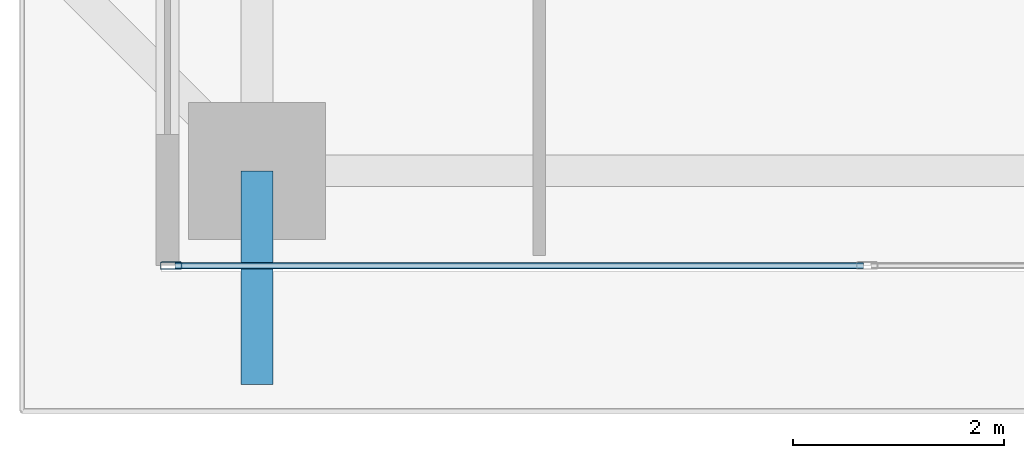
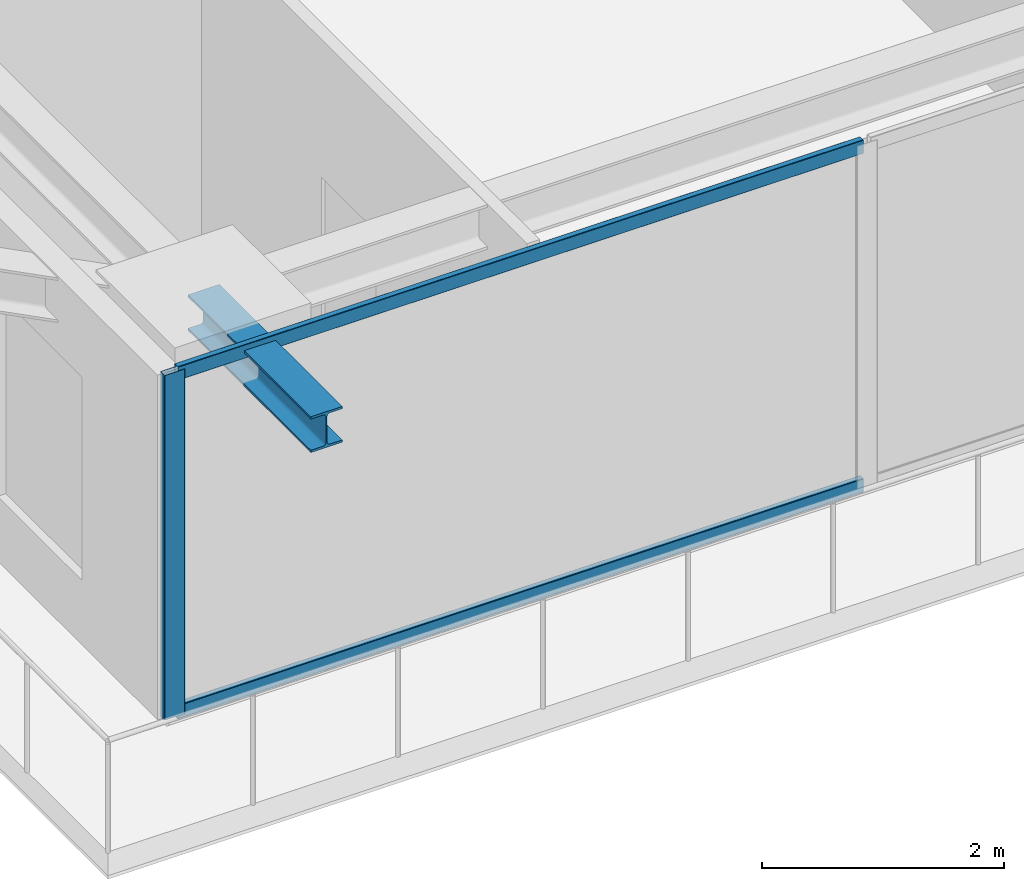
# One storey, part 2 of 38: 3 members, 1 beam, 1 element without a shape of its own.
"""IFC4 building model written with IfcOpenShell, lengths in metres."""

from ifc_helpers import new_model, si_unit, direction, frame, origin, origin_2d, place, context, subcontext, project, spatial, hollow_rectangle, i_section, extrude, source, transform, mapped, material, layer, layer_set, material_profile, profile_set, type_object, element, aggregate, save


model = new_model("IFC4")

# Units and contexts
model_context = context("Model", 3, precision=1e-05, world=origin(), true_north=direction((0.0, 1.0)))
body_context = subcontext(model_context, "Body", "Model", "MODEL_VIEW")
ifc_project = project(units=[si_unit("LENGTHUNIT", "METRE"), si_unit("AREAUNIT", "SQUARE_METRE"), si_unit("VOLUMEUNIT", "CUBIC_METRE"), si_unit("PLANEANGLEUNIT", "RADIAN"), si_unit("MASSUNIT", "GRAM", prefix="KILO")], contexts=[model_context])

# Site, building, storey
site_placement = place(None, origin())
site = spatial("IfcSite", under=ifc_project, at=site_placement, CompositionType="ELEMENT")
building_placement = place(site_placement, origin())
building = spatial("IfcBuilding", under=site, at=building_placement, Name="Serunith Strait Residences", CompositionType="ELEMENT")
storey_placement = place(building_placement, frame((0.0, 0.0, 120.14990234375)))
storey = spatial("IfcBuildingStorey", under=building, at=storey_placement, Name="L29", CompositionType="ELEMENT", Elevation=120.14990234375)

# Beam
ifc_material_1 = material(Name="Steel S355J2", Category="steel")
ifc_material_profile_1 = material_profile(ifc_material_1, i_section(OverallWidth=0.300048828125, OverallDepth=0.360107421875, WebThickness=0.012451171875, FlangeThickness=0.0224609375, FilletRadius=0.027099609375, at=origin_2d()), Name="HEB 360")
ifc_profile_set_1 = profile_set([ifc_material_profile_1], Name="Steel S355J2")
beam_type = type_object("IfcBeamType", Name="BM-HEB360", PredefinedType="BEAM", material=ifc_profile_set_1)
shared_shape_1 = source(origin(), body_context, "Body", "SweptSolid", [
    extrude(i_section(OverallWidth=0.300048828125, OverallDepth=0.360107421875, WebThickness=0.012451171875, FlangeThickness=0.0224609375, FilletRadius=0.027099609375, at=origin_2d()), origin(), (0.0, 0.0, 1.0), 2.030029296875),
])
beam_placement = place(storey_placement, frame((16.64990234375, 2.300048828125, 3.277099609375), z_axis=(0.0, -1.0, 0.0), x_axis=(1.0, 0.0, 0.0)))
element("IfcBeam", 1, at=beam_placement, inside=storey, type_object=beam_type, Name="L30 Cantilevered Balcony Rib TC-S1", PredefinedType="BEAM", context=body_context, shape_type="MappedRepresentation", body=[
    mapped(shared_shape_1, transform((0.0, 0.0, 0.0), scale=1.0)),
])

# Curtain wall, members
ifc_material_2 = material(Name="Pale-Champagne Anodised Aluminium", Category="aluminium")
ifc_layer = layer(ifc_material_2, 0.199951171875, Name="Pale-Champagne Anodised Aluminium")
ifc_layer_set = layer_set([ifc_layer], Name="Pale-Champagne Anodised Aluminium")
curtain_wall_type = type_object("IfcCurtainWallType", Name="CW-SYS2", PredefinedType="NOTDEFINED", material=ifc_layer_set)
curtain_wall_placement = place(storey_placement, origin())
curtain_wall = element("IfcCurtainWall", 2, at=curtain_wall_placement, inside=storey, type_object=curtain_wall_type, Name="L29 S Unitised Fritted Curtain Wall", PredefinedType="NOTDEFINED")
ifc_material_profile_2 = material_profile(ifc_material_2, hollow_rectangle(XDim=0.070068359375, YDim=0.199951171875, WallThickness=0.00390625, InnerFilletRadius=0.006103515625, OuterFilletRadius=0.010009765625, at=origin_2d()), Name="ALU 200x70x4")
ifc_profile_set_2 = profile_set([ifc_material_profile_2], Name="Pale-Champagne Anodised Aluminium")
member_type_1 = type_object("IfcMemberType", Name="CW-SYS2-MULL", PredefinedType="MULLION", material=ifc_profile_set_2)
shared_shape_2 = source(origin(), body_context, "Body", "SweptSolid", [
    extrude(hollow_rectangle(XDim=0.070068359375, YDim=0.199951171875, WallThickness=0.00390625, InnerFilletRadius=0.006103515625, OuterFilletRadius=0.010009765625, at=origin_2d()), origin(), (0.0, 0.0, 1.0), 3.47509765625),
])
member_1_placement = place(storey_placement, frame((15.8349609375, 1.39990234375, 0.0), z_axis=(0.0, 0.0, 1.0), x_axis=(0.0, 1.0, 0.0)))
member_1 = element("IfcMember", 3, at=member_1_placement, type_object=member_type_1, Name="CW-2 mullion 1", PredefinedType="MULLION", context=body_context, shape_type="MappedRepresentation", body=[
    mapped(shared_shape_2, transform((0.0, 0.0, 0.0), scale=1.0)),
])
ifc_material_profile_3 = material_profile(ifc_material_2, hollow_rectangle(XDim=0.06005859375, YDim=0.139892578125, WallThickness=0.00341796875, InnerFilletRadius=0.00537109375, OuterFilletRadius=0.0087890625, at=origin_2d()), Name="ALU 140x60x3.5")
ifc_profile_set_3 = profile_set([ifc_material_profile_3], Name="Pale-Champagne Anodised Aluminium")
member_type_2 = type_object("IfcMemberType", Name="CW-SYS2-TRAN", PredefinedType="USERDEFINED", material=ifc_profile_set_3)
shared_shape_3 = source(origin(), body_context, "Body", "SweptSolid", [
    extrude(hollow_rectangle(XDim=0.06005859375, YDim=0.139892578125, WallThickness=0.00341796875, InnerFilletRadius=0.00537109375, OuterFilletRadius=0.0087890625, at=origin_2d()), origin(), (0.0, 0.0, 1.0), 6.534912109375),
])
member_2_placement = place(storey_placement, frame((15.8701171875, 1.39990234375, 0.030029296875), z_axis=(1.0, 0.0, 0.0), x_axis=(0.0, 1.0, 0.0)))
member_2 = element("IfcMember", 4, at=member_2_placement, type_object=member_type_2, Name="CW-2 transom 1.1", ObjectType="TRANSOM", PredefinedType="USERDEFINED", context=body_context, shape_type="MappedRepresentation", body=[
    mapped(shared_shape_3, transform((0.0, 0.0, 0.0), scale=1.0)),
])
member_3_placement = place(storey_placement, frame((15.8701171875, 1.39990234375, 3.445068359375), z_axis=(1.0, 0.0, 0.0), x_axis=(0.0, 1.0, 0.0)))
member_3 = element("IfcMember", 5, at=member_3_placement, type_object=member_type_2, Name="CW-2 transom 1.2", ObjectType="TRANSOM", PredefinedType="USERDEFINED", context=body_context, shape_type="MappedRepresentation", body=[
    mapped(shared_shape_3, transform((0.0, 0.0, 0.0), scale=1.0)),
])
aggregate(curtain_wall, [member_1, member_2, member_3])

save(model, "model.ifc")
